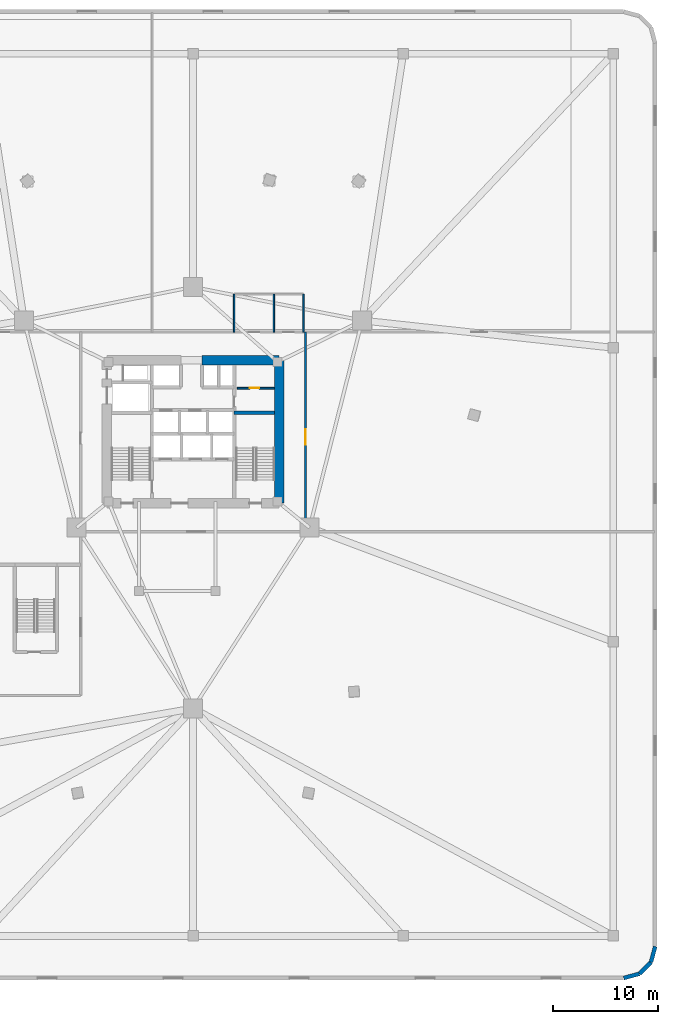
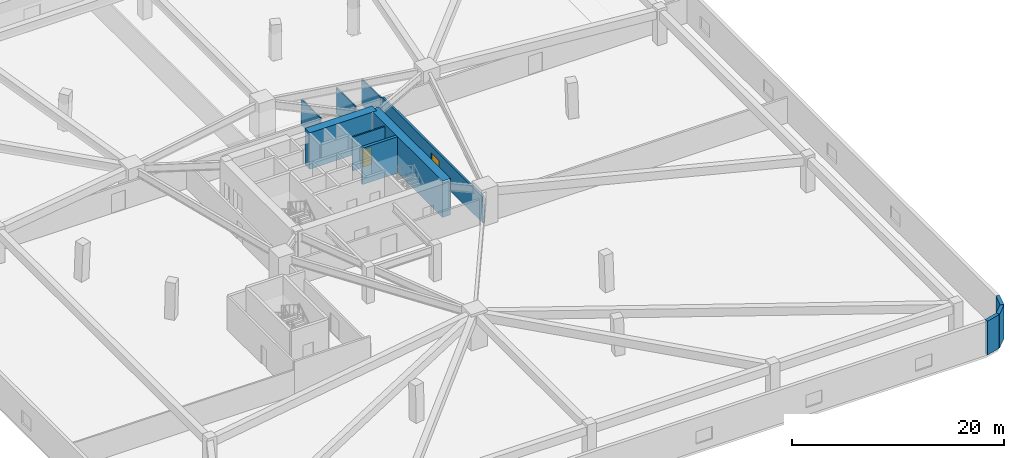
# One storey, part 7 of 10: 11 walls, 2 doors, 2 openings.
"""IFC4 building model written with IfcOpenShell, lengths in metres."""

from ifc_helpers import new_model, si_unit, direction, frame, frame_2d, origin, place, context, subcontext, project, spatial, rectangle, extrude, material, layer, layer_set, type_object, element, fill, save


model = new_model("IFC4")

# Units and contexts
model_context = context("Model", 3, precision=1e-05, world=origin(), true_north=direction((0.0, 1.0)))
body_context = subcontext(model_context, "Body", "Model", "MODEL_VIEW")
ifc_project = project(units=[si_unit("LENGTHUNIT", "METRE"), si_unit("AREAUNIT", "SQUARE_METRE"), si_unit("VOLUMEUNIT", "CUBIC_METRE"), si_unit("PLANEANGLEUNIT", "RADIAN"), si_unit("MASSUNIT", "GRAM", prefix="KILO")], contexts=[model_context])

# Site, building, storey
site_placement = place(None, origin())
site = spatial("IfcSite", under=ifc_project, at=site_placement, CompositionType="ELEMENT")
building_placement = place(site_placement, origin())
building = spatial("IfcBuilding", under=site, at=building_placement, Name="Talyreon Biosciences Tower", CompositionType="ELEMENT")
storey_placement = place(building_placement, frame((0.0, 0.0, 10.199951171875)))
storey = spatial("IfcBuildingStorey", under=building, at=storey_placement, Name="L02", CompositionType="ELEMENT", Elevation=10.199951171875)

# Walls
ifc_material_1 = material(Name="Concrete C50/60", Category="concrete")
ifc_layer_1 = layer(ifc_material_1, 0.320068359375)
ifc_layer_set_1 = layer_set([ifc_layer_1], Name="Concrete C50/60")
wall_type_1 = type_object("IfcWallType", Name="CoreShearWall_320", PredefinedType="SHEAR", material=ifc_layer_set_1)
wall_1_placement = place(storey_placement, frame((69.909912109375, 69.81005859375, 0.0), z_axis=(0.0, 0.0, 1.0), x_axis=(1.0, 0.0, 0.0)))
element("IfcWall", 1, at=wall_1_placement, inside=storey, type_object=wall_type_1, Name="L02 Core Shaft Wall SW2N", PredefinedType="SHEAR", context=body_context, shape_type="SweptSolid", body=[
    extrude(rectangle(XDim=3.840087890625, YDim=0.320068359375, at=frame_2d((1.919921875, 0.0))), origin(), (0.0, 0.0, 1.0), 4.199951171875),
])
ifc_material_2 = material(Name="Concrete C60/75", Category="concrete")
ifc_layer_2 = layer(ifc_material_2, 0.89990234375)
ifc_layer_set_2 = layer_set([ifc_layer_2], Name="Concrete C60/75")
wall_type_2 = type_object("IfcWallType", Name="CoreShearWall_900", PredefinedType="SHEAR", material=ifc_layer_set_2)
wall_2_placement = place(storey_placement, frame((74.199951171875, 61.199951171875, 0.0), z_axis=(0.0, 0.0, 1.0), x_axis=(0.0, 1.0, 0.0)))
element("IfcWall", 2, at=wall_2_placement, inside=storey, type_object=wall_type_2, Name="L02 Core Shear Wall E", PredefinedType="SHEAR", context=body_context, shape_type="SweptSolid", body=[
    extrude(rectangle(XDim=13.60009765625, YDim=0.89990234375, at=frame_2d((6.800048828125, 0.0))), origin(), (0.0, 0.0, 1.0), 4.199951171875),
])
wall_3_placement = place(storey_placement, frame((74.199951171875, 74.800048828125, 0.0), z_axis=(0.0, 0.0, 1.0), x_axis=(-1.0, 0.0, 0.0)))
element("IfcWall", 3, at=wall_3_placement, inside=storey, type_object=wall_type_2, Name="L02 Core Shear Wall NE", PredefinedType="SHEAR", context=body_context, shape_type="SweptSolid", body=[
    extrude(rectangle(XDim=7.349853515625, YDim=0.89990234375, at=frame_2d((3.6748046875, 0.0))), origin(), (0.0, 0.0, 1.0), 4.199951171875),
])

# Wall, opening, door
ifc_material_3 = material(Name="Gypsum fireboard acoustic stud", Category="gypsum")
ifc_layer_3 = layer(ifc_material_3, 0.219970703125)
ifc_layer_set_3 = layer_set([ifc_layer_3], Name="Gypsum fireboard acoustic stud")
wall_type_3 = type_object("IfcWallType", Name="CorridorRatedPartition_220", PredefinedType="PARTITIONING", material=ifc_layer_set_3)
wall_4_placement = place(storey_placement, frame((76.699951171875, 58.5, 0.0), z_axis=(0.0, 0.0, 1.0), x_axis=(0.0, 1.0, 0.0)))
wall_4 = element("IfcWall", 4, at=wall_4_placement, inside=storey, type_object=wall_type_3, Name="L02 Interior Wall IW-L02-E", PredefinedType="PARTITIONING", context=body_context, shape_type="SweptSolid", body=[
    extrude(rectangle(XDim=19.0, YDim=0.219970703125, at=frame_2d((9.5, 0.0))), origin(), (0.0, 0.0, 1.0), 2.97998046875),
])
opening_1_placement = place(wall_4_placement, frame((8.25, 0.0, 0.0)))
opening_1 = element("IfcOpeningElement", 5, at=opening_1_placement, cuts=wall_4, Name="Opening DR-L02-EW", PredefinedType="OPENING", context=body_context, shape_type="SweptSolid", body=[
    extrude(rectangle(XDim=1.5, YDim=2.199951171875, at=frame_2d((0.75, 1.10009765625))), frame((0.0, 0.119873046875, 0.0), z_axis=(0.0, -1.0, 0.0), x_axis=(1.0, 0.0, 0.0)), (0.0, 0.0, 1.0), 0.239990234375),
])
ifc_material_4 = material(Name="Vision-panel steel laboratory fire door", Category="steel")
door_type_1 = type_object("IfcDoorType", Name="WetLabDoubleLeafDoor_1500x2200", OperationType="DOUBLE_DOOR_SINGLE_SWING", PredefinedType="DOOR", material=ifc_material_4)
door_1_placement = place(opening_1_placement, origin())
door_1 = element("IfcDoor", 6, at=door_1_placement, inside=storey, type_object=door_type_1, Name="L02 Interior Door DR-L02-EW", OperationType="DOUBLE_DOOR_SINGLE_SWING", OverallHeight=2.199951171875, OverallWidth=1.5, PredefinedType="DOOR", context=body_context, shape_type="SweptSolid", body=[
    extrude(rectangle(XDim=1.5, YDim=2.199951171875, at=frame_2d((0.75, 1.10009765625))), frame((0.0, 0.02490234375, 0.0), z_axis=(0.0, -1.0, 0.0), x_axis=(1.0, 0.0, 0.0)), (0.0, 0.0, 1.0), 0.050048828125),
])
fill(opening_1, door_1)

ifc_material_5 = material(Name="Gypsum acoustic stud partition", Category="gypsum")
ifc_layer_4 = layer(ifc_material_5, 0.159912109375)
ifc_layer_set_4 = layer_set([ifc_layer_4], Name="Gypsum acoustic stud partition")
wall_type_4 = type_object("IfcWallType", Name="LabSeparationPartition_160", PredefinedType="PARTITIONING", material=ifc_layer_set_4)
wall_5_placement = place(storey_placement, frame((70.22998046875, 72.14990234375, 0.0), z_axis=(0.0, 0.0, 1.0), x_axis=(1.0, 0.0, 0.0)))
wall_5 = element("IfcWall", 7, at=wall_5_placement, inside=storey, type_object=wall_type_4, Name="L02 Interior Wall IW-L02-CSRV-H", PredefinedType="PARTITIONING", context=body_context, shape_type="SweptSolid", body=[
    extrude(rectangle(XDim=3.52001953125, YDim=0.159912109375, at=frame_2d((1.760009765625, 0.0))), origin(), (0.0, 0.0, 1.0), 3.900146484375),
])
opening_2_placement = place(wall_5_placement, frame((1.14990234375, 0.0, 0.0)))
opening_2 = element("IfcOpeningElement", 8, at=opening_2_placement, cuts=wall_5, Name="Opening DR-L02-CSRV-I", PredefinedType="OPENING", context=body_context, shape_type="SweptSolid", body=[
    extrude(rectangle(XDim=0.919921875, YDim=2.050048828125, at=frame_2d((0.4599609375, 1.02490234375))), frame((0.0, 0.08984375, 0.0), z_axis=(0.0, -1.0, 0.0), x_axis=(1.0, 0.0, 0.0)), (0.0, 0.0, 1.0), 0.179931640625),
])
ifc_material_6 = material(Name="Painted steel fire-rated riser door", Category="steel")
door_type_2 = type_object("IfcDoorType", Name="RiserPlantAccessDoor_920x2050", OperationType="NOTDEFINED", PredefinedType="DOOR", material=ifc_material_6)
door_2_placement = place(opening_2_placement, origin())
door_2 = element("IfcDoor", 9, at=door_2_placement, inside=storey, type_object=door_type_2, Name="L02 Interior Door DR-L02-CSRV-I", OperationType="SINGLE_SWING_LEFT", OverallHeight=2.050048828125, OverallWidth=0.919921875, PredefinedType="DOOR", context=body_context, shape_type="SweptSolid", body=[
    extrude(rectangle(XDim=0.919921875, YDim=2.050048828125, at=frame_2d((0.4599609375, 1.02490234375))), frame((0.0, 0.02490234375, 0.0), z_axis=(0.0, -1.0, 0.0), x_axis=(1.0, 0.0, 0.0)), (0.0, 0.0, 1.0), 0.050048828125),
])
fill(opening_2, door_2)

# Walls
ifc_material_7 = material(Name="Precast concrete C45/55", Category="concrete")
ifc_layer_5 = layer(ifc_material_7, 0.3798828125)
ifc_layer_set_5 = layer_set([ifc_layer_5], Name="Precast concrete C45/55")
wall_type_5 = type_object("IfcWallType", Name="PrecastConcretePodiumWall_380", PredefinedType="STANDARD", material=ifc_layer_set_5)
for number, where, z_axis, x_axis, name in (
    (10, (110.0, 19.0, 0.0), (0.0, 0.0, 1.0), (-0.258777996848, -0.965936824201, 0.0), "L02 Podium Concrete Frame Wall 14"),
    (11, (109.59814453125, 17.5, 0.0), (0.0, 0.0, 1.0), (-0.707106781187, -0.707106781187, 0.0), "L02 Podium Concrete Frame Wall 15"),
    (12, (108.5, 16.40185546875, 0.0), (0.0, 0.0, 1.0), (-0.965936824201, -0.258777996848, 0.0), "L02 Podium Concrete Frame Wall 16"),
):
    element("IfcWall", number, at=place(storey_placement, frame(where, z_axis=z_axis, x_axis=x_axis)), inside=storey, type_object=wall_type_5, Name=name, PredefinedType="STANDARD", context=body_context, shape_type="SweptSolid", body=[
        extrude(rectangle(XDim=1.552978515625, YDim=0.3798828125, at=frame_2d((0.7763671875, 0.0))), origin(), (0.0, 0.0, 1.0), 3.900146484375),
    ])
ifc_material_8 = material(Name="Moisture-resistant cement-board stud", Category="gypsum")
ifc_layer_6 = layer(ifc_material_8, 0.14501953125)
ifc_layer_set_6 = layer_set([ifc_layer_6], Name="Moisture-resistant cement-board stud")
wall_type_6 = type_object("IfcWallType", Name="WetRoomPartition_145", PredefinedType="PARTITIONING", material=ifc_layer_set_6)
for number, where, z_axis, x_axis, name in (
    (13, (69.89990234375, 77.5, 0.0), (0.0, 0.0, 1.0), (0.0, 1.0, 0.0), "L02 Interior Wall IW-L02-WCW"),
    (14, (73.699951171875, 77.5, 0.0), (0.0, 0.0, 1.0), (0.0, 1.0, 0.0), "L02 Interior Wall IW-L02-WCM"),
    (15, (76.5, 77.5, 0.0), (0.0, 0.0, 1.0), (0.0, 1.0, 0.0), "L02 Interior Wall IW-L02-WCE"),
):
    element("IfcWall", number, at=place(storey_placement, frame(where, z_axis=z_axis, x_axis=x_axis)), inside=storey, type_object=wall_type_6, Name=name, PredefinedType="PARTITIONING", context=body_context, shape_type="SweptSolid", body=[
        extrude(rectangle(XDim=3.60009765625, YDim=0.14501953125, at=frame_2d((1.800048828125, 0.0))), origin(), (0.0, 0.0, 1.0), 2.97998046875),
    ])

save(model, "model.ifc")
